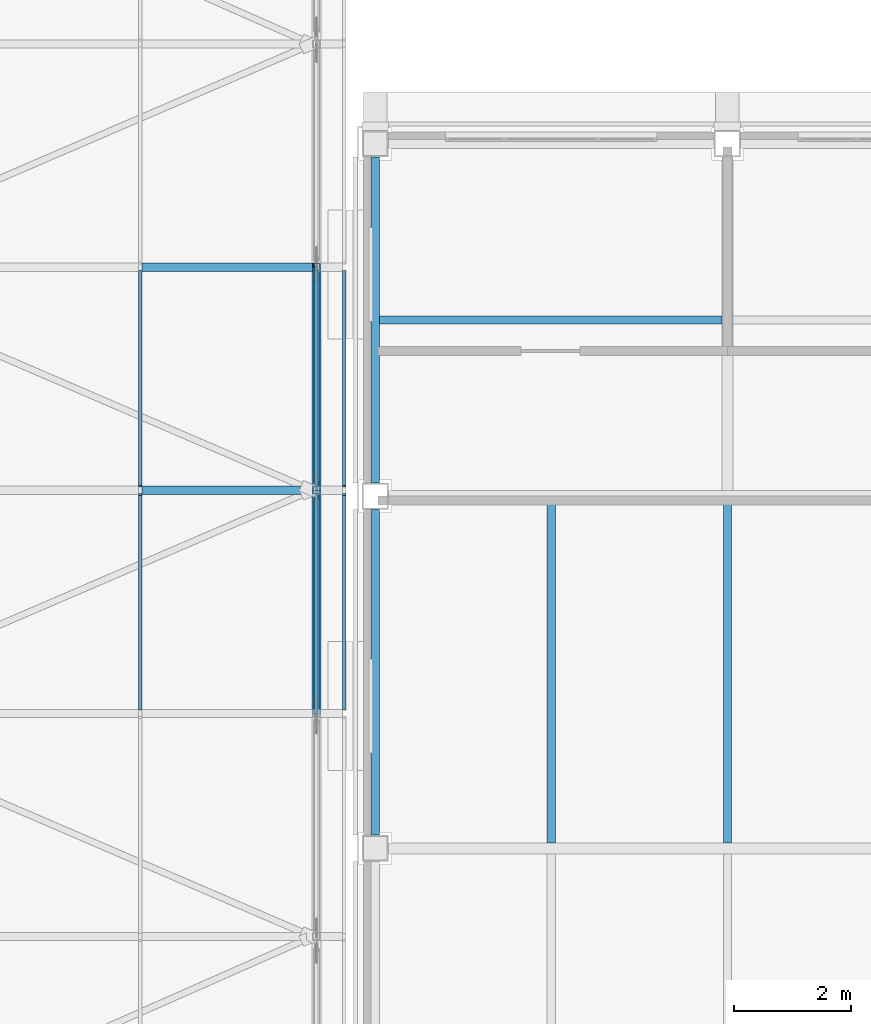
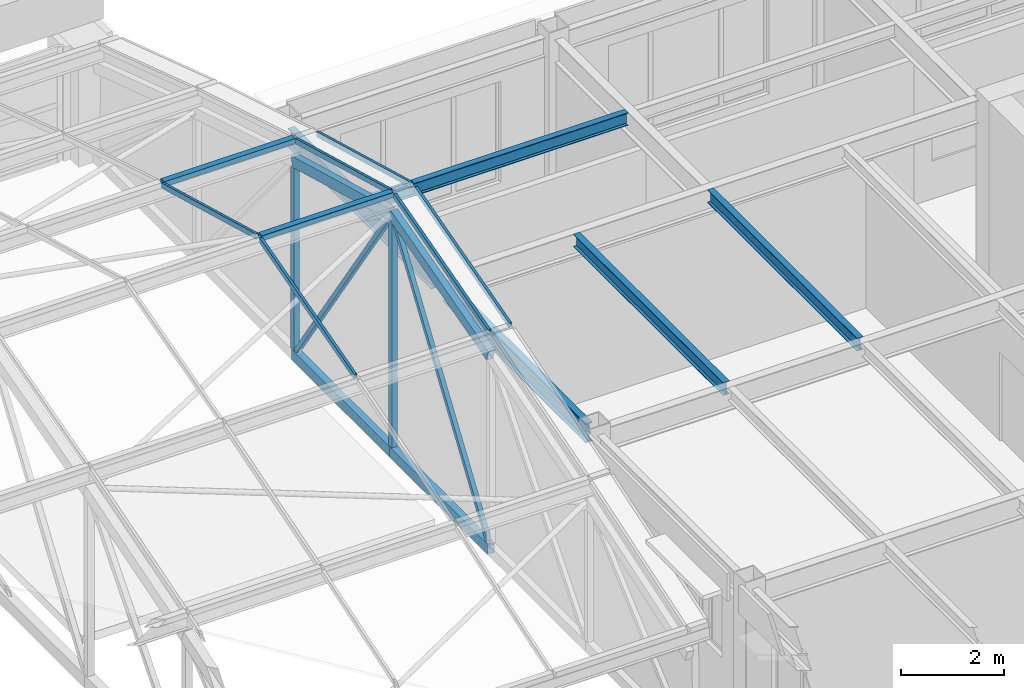
# One storey, part 41 of 82: 16 members, 5 beams, 1 element without a shape of its own.
"""IFC4 building model written with IfcOpenShell, lengths in metres."""

from ifc_helpers import new_model, si_unit, direction, frame, origin, origin_2d, place, context, subcontext, project, spatial, rectangle, hollow_rectangle, i_section, extrude, material, material_profile, profile_set, type_object, element, aggregate, save


model = new_model("IFC4")

# Units and contexts
model_context = context("Model", 3, precision=1e-05, world=origin(), true_north=direction((0.0, 1.0)))
body_context = subcontext(model_context, "Body", "Model", "MODEL_VIEW")
ifc_project = project(units=[si_unit("LENGTHUNIT", "METRE"), si_unit("AREAUNIT", "SQUARE_METRE"), si_unit("VOLUMEUNIT", "CUBIC_METRE"), si_unit("PLANEANGLEUNIT", "RADIAN"), si_unit("MASSUNIT", "GRAM", prefix="KILO")], contexts=[model_context])

# Site, building, storey
site_placement = place(None, origin())
site = spatial("IfcSite", under=ifc_project, at=site_placement, CompositionType="ELEMENT")
building_placement = place(site_placement, origin())
building = spatial("IfcBuilding", under=site, at=building_placement, Name="Aravalli Gate Trade Fair Centre", CompositionType="ELEMENT")
storey_placement = place(building_placement, frame((0.0, 0.0, 19.199951171875)))
storey = spatial("IfcBuildingStorey", under=building, at=storey_placement, Name="L04", CompositionType="ELEMENT", Elevation=19.199951171875)

# Members
ifc_material_1 = material(Name="Steel E350", Category="steel")
ifc_material_profile_1 = material_profile(ifc_material_1, hollow_rectangle(XDim=0.14990234375, YDim=0.25, WallThickness=0.010009765625, at=origin_2d()), Name="RHS 250x150x10")
ifc_profile_set_1 = profile_set([ifc_material_profile_1], Name="Steel E350")
member_type_1 = type_object("IfcMemberType", Name="RHS 250x150x10 CT2 truss chord", PredefinedType="CHORD", material=ifc_profile_set_1)
member_1_placement = place(storey_placement, frame((159.0, 117.300048828125, 4.700439453125), z_axis=(0.0, 0.963894016224, 0.266286172166), x_axis=(-1.0, 0.0, 0.0)))
element("IfcMember", 1, at=member_1_placement, inside=storey, type_object=member_type_1, Name="Concourse vault truss CT2 line E top chord T3", PredefinedType="CHORD", context=body_context, shape_type="SweptSolid", body=[
    extrude(hollow_rectangle(XDim=0.14990234375, YDim=0.25, WallThickness=0.010009765625, at=origin_2d()), origin(), (0.0, 0.0, 1.0), 3.9423828125),
])
member_2_placement = place(storey_placement, frame((159.0, 117.300048828125, 0.125), z_axis=(0.0, 1.0, 0.0), x_axis=(-1.0, 0.0, 0.0)))
element("IfcMember", 2, at=member_2_placement, inside=storey, type_object=member_type_1, Name="Concourse vault truss CT2 line E bottom chord B3", PredefinedType="CHORD", context=body_context, shape_type="SweptSolid", body=[
    extrude(hollow_rectangle(XDim=0.14990234375, YDim=0.25, WallThickness=0.010009765625, at=origin_2d()), origin(), (0.0, 0.0, 1.0), 3.800048828125),
])
member_3_placement = place(storey_placement, frame((159.0, 121.10009765625, 5.750244140625), z_axis=(0.0, 0.96388962469, -0.266302067988), x_axis=(-1.0, 0.0, 0.0)))
element("IfcMember", 3, at=member_3_placement, inside=storey, type_object=member_type_1, Name="Concourse vault truss CT2 line E top chord T4", PredefinedType="CHORD", context=body_context, shape_type="SweptSolid", body=[
    extrude(hollow_rectangle(XDim=0.14990234375, YDim=0.25, WallThickness=0.010009765625, at=origin_2d()), origin(), (0.0, 0.0, 1.0), 3.942138671875),
])
member_4_placement = place(storey_placement, frame((159.0, 121.10009765625, 0.125), z_axis=(0.0, 1.0, 0.0), x_axis=(-1.0, 0.0, 0.0)))
element("IfcMember", 4, at=member_4_placement, inside=storey, type_object=member_type_1, Name="Concourse vault truss CT2 line E bottom chord B4", PredefinedType="CHORD", context=body_context, shape_type="SweptSolid", body=[
    extrude(hollow_rectangle(XDim=0.14990234375, YDim=0.25, WallThickness=0.010009765625, at=origin_2d()), origin(), (0.0, 0.0, 1.0), 3.7998046875),
])
ifc_material_profile_2 = material_profile(ifc_material_1, hollow_rectangle(XDim=0.10009765625, YDim=0.10009765625, WallThickness=0.006103515625, at=origin_2d()), Name="SHS 100x100x6")
ifc_profile_set_2 = profile_set([ifc_material_profile_2], Name="Steel E350")
member_type_2 = type_object("IfcMemberType", Name="SHS 100x100x6 CT2 truss diagonal", PredefinedType="BRACE", material=ifc_profile_set_2)
member_5_placement = place(storey_placement, frame((159.0, 117.384521484375, 0.25), z_axis=(0.0, 0.559733700846, 0.828672543371), x_axis=(-1.0, 0.0, 0.0)))
element("IfcMember", 5, at=member_5_placement, inside=storey, type_object=member_type_2, Name="Concourse vault truss CT2 line E diagonal D3", PredefinedType="BRACE", context=body_context, shape_type="SweptSolid", body=[
    extrude(hollow_rectangle(XDim=0.10009765625, YDim=0.10009765625, WallThickness=0.006103515625, at=origin_2d()), origin(), (0.0, 0.0, 1.0), 6.4453125),
])
member_6_placement = place(storey_placement, frame((159.0, 121.207763671875, 5.591064453125), z_axis=(0.0, 0.55975971126, -0.828654973828), x_axis=(-1.0, 0.0, 0.0)))
element("IfcMember", 6, at=member_6_placement, inside=storey, type_object=member_type_2, Name="Concourse vault truss CT2 line E diagonal D4", PredefinedType="BRACE", context=body_context, shape_type="SweptSolid", body=[
    extrude(hollow_rectangle(XDim=0.10009765625, YDim=0.10009765625, WallThickness=0.006103515625, at=origin_2d()), origin(), (0.0, 0.0, 1.0), 6.445556640625),
])
ifc_material_profile_3 = material_profile(ifc_material_1, hollow_rectangle(XDim=0.125, YDim=0.125, WallThickness=0.006103515625, at=origin_2d()), Name="SHS 125x125x6")
ifc_profile_set_3 = profile_set([ifc_material_profile_3], Name="Steel E350")
member_type_3 = type_object("IfcMemberType", Name="SHS 125x125x6 CT2 truss post", PredefinedType="POST", material=ifc_profile_set_3)
member_7_placement = place(storey_placement, frame((159.0, 121.10009765625, 0.25), z_axis=(0.0, 0.0, 1.0), x_axis=(1.0, 0.0, 0.0)))
element("IfcMember", 7, at=member_7_placement, inside=storey, type_object=member_type_3, Name="Concourse vault truss CT2 line E post V3", PredefinedType="POST", context=body_context, shape_type="SweptSolid", body=[
    extrude(hollow_rectangle(XDim=0.125, YDim=0.125, WallThickness=0.006103515625, at=origin_2d()), origin(), (0.0, 0.0, 1.0), 5.37060546875),
])
member_8_placement = place(storey_placement, frame((159.0, 124.89990234375, 0.25), z_axis=(0.0, 0.0, 1.0), x_axis=(1.0, 0.0, 0.0)))
element("IfcMember", 8, at=member_8_placement, inside=storey, type_object=member_type_3, Name="Concourse vault truss CT2 line E post V4", PredefinedType="POST", context=body_context, shape_type="SweptSolid", body=[
    extrude(hollow_rectangle(XDim=0.125, YDim=0.125, WallThickness=0.006103515625, at=origin_2d()), origin(), (0.0, 0.0, 1.0), 4.31884765625),
])
ifc_material_2 = material(Name="Aluminium", Category="aluminium")
ifc_material_profile_4 = material_profile(ifc_material_2, rectangle(XDim=0.139892578125, YDim=0.1201171875, at=origin_2d()), Name="Vault fold cap 140 x 120")
ifc_profile_set_4 = profile_set([ifc_material_profile_4], Name="Aluminium")
member_type_4 = type_object("IfcMemberType", Name="Vault fold cap 140 x 120", PredefinedType="USERDEFINED", material=ifc_profile_set_4)
for number, where, z_axis, x_axis, name in (
    (9, (156.030029296875, 121.10009765625, 6.239990234375), (1.0, 0.0, 0.0), (0.0, 1.0, 0.0), "Vault fold cap e19.3"),
    (10, (156.030029296875, 124.89990234375, 5.209228515625), (1.0, 0.0, 0.0), (0.0, 1.0, 0.0), "Vault fold cap e19.4"),
):
    element("IfcMember", number, at=place(storey_placement, frame(where, z_axis=z_axis, x_axis=x_axis)), inside=storey, type_object=member_type_4, Name=name, ObjectType="FOLD CAP", PredefinedType="USERDEFINED", context=body_context, shape_type="SweptSolid", body=[
        extrude(rectangle(XDim=0.139892578125, YDim=0.1201171875, at=origin_2d()), origin(), (0.0, 0.0, 1.0), 2.93994140625),
    ])

# Curtain wall, members
ifc_material_3 = material(Name="Aluminium and glass", Category="aluminium")
curtain_wall_type = type_object("IfcCurtainWallType", Name="Vault curtain wall, sloped glazing", PredefinedType="NOTDEFINED", material=ifc_material_3)
curtain_wall_placement = place(storey_placement, origin())
curtain_wall = element("IfcCurtainWall", 11, at=curtain_wall_placement, inside=storey, type_object=curtain_wall_type, Name="Vault curtain wall e", PredefinedType="NOTDEFINED")
ifc_material_profile_5 = material_profile(ifc_material_2, rectangle(XDim=0.06005859375, YDim=0.1201171875, at=origin_2d()), Name="Vault glazing bar 60 x 120")
ifc_profile_set_5 = profile_set([ifc_material_profile_5], Name="Aluminium")
member_type_5 = type_object("IfcMemberType", Name="Vault glazing bar 60 x 120", PredefinedType="USERDEFINED", material=ifc_profile_set_5)
member_9_placement = place(storey_placement, frame((156.0, 117.3701171875, 5.20703125), z_axis=(0.0, 0.96386804037, 0.266380180859), x_axis=(-1.0, 0.0, 0.0)))
member_9 = element("IfcMember", 12, at=member_9_placement, type_object=member_type_5, Name="Vault glazing bar e19.3", ObjectType="GLAZING BAR", PredefinedType="USERDEFINED", context=body_context, shape_type="SweptSolid", body=[
    extrude(rectangle(XDim=0.06005859375, YDim=0.1201171875, at=origin_2d()), origin(), (0.0, 0.0, 1.0), 3.797119140625),
])
member_10_placement = place(storey_placement, frame((156.0, 121.169921875, 6.218505859375), z_axis=(0.0, 0.963872602318, -0.266363673386), x_axis=(-1.0, 0.0, 0.0)))
member_10 = element("IfcMember", 13, at=member_10_placement, type_object=member_type_5, Name="Vault glazing bar e19.4", ObjectType="GLAZING BAR", PredefinedType="USERDEFINED", context=body_context, shape_type="SweptSolid", body=[
    extrude(rectangle(XDim=0.06005859375, YDim=0.1201171875, at=origin_2d()), origin(), (0.0, 0.0, 1.0), 3.79736328125),
])
member_11_placement = place(storey_placement, frame((159.0, 117.3701171875, 5.20703125), z_axis=(0.0, 0.96386804037, 0.266380180859), x_axis=(-1.0, 0.0, 0.0)))
member_11 = element("IfcMember", 14, at=member_11_placement, type_object=member_type_5, Name="Vault glazing bar e20.3", ObjectType="GLAZING BAR", PredefinedType="USERDEFINED", context=body_context, shape_type="SweptSolid", body=[
    extrude(rectangle(XDim=0.06005859375, YDim=0.1201171875, at=origin_2d()), origin(), (0.0, 0.0, 1.0), 3.797119140625),
])
member_12_placement = place(storey_placement, frame((159.0, 121.169921875, 6.218505859375), z_axis=(0.0, 0.963872602318, -0.266363673386), x_axis=(-1.0, 0.0, 0.0)))
member_12 = element("IfcMember", 15, at=member_12_placement, type_object=member_type_5, Name="Vault glazing bar e20.4", ObjectType="GLAZING BAR", PredefinedType="USERDEFINED", context=body_context, shape_type="SweptSolid", body=[
    extrude(rectangle(XDim=0.06005859375, YDim=0.1201171875, at=origin_2d()), origin(), (0.0, 0.0, 1.0), 3.79736328125),
])
member_13_placement = place(storey_placement, frame((159.469970703125, 117.3701171875, 5.20703125), z_axis=(0.0, 0.96386804037, 0.266380180859), x_axis=(-1.0, 0.0, 0.0)))
member_13 = element("IfcMember", 16, at=member_13_placement, type_object=member_type_5, Name="Vault glazing bar e21.3", ObjectType="GLAZING BAR", PredefinedType="USERDEFINED", context=body_context, shape_type="SweptSolid", body=[
    extrude(rectangle(XDim=0.06005859375, YDim=0.1201171875, at=origin_2d()), origin(), (0.0, 0.0, 1.0), 3.797119140625),
])
member_14_placement = place(storey_placement, frame((159.469970703125, 121.169921875, 6.218505859375), z_axis=(0.0, 0.963872602318, -0.266363673386), x_axis=(-1.0, 0.0, 0.0)))
member_14 = element("IfcMember", 17, at=member_14_placement, type_object=member_type_5, Name="Vault glazing bar e21.4", ObjectType="GLAZING BAR", PredefinedType="USERDEFINED", context=body_context, shape_type="SweptSolid", body=[
    extrude(rectangle(XDim=0.06005859375, YDim=0.1201171875, at=origin_2d()), origin(), (0.0, 0.0, 1.0), 3.79736328125),
])
aggregate(curtain_wall, [member_9, member_10, member_11, member_12, member_13, member_14])

# Beams
ifc_material_profile_6 = material_profile(ifc_material_1, i_section(OverallWidth=0.14990234375, OverallDepth=0.449951171875, WebThickness=0.009521484375, FlangeThickness=0.017333984375, at=origin_2d()), Name="ISMB 450")
ifc_profile_set_6 = profile_set([ifc_material_profile_6], Name="Steel E350")
beam_type_1 = type_object("IfcBeamType", Name="Wing perimeter beam ISMB 450 (capital and roof)", PredefinedType="BEAM", material=ifc_profile_set_6)
for number, where, z_axis, x_axis, name in (
    (18, (160.0, 115.22509765625, 3.775146484375), (0.0, 1.0, 0.0), (-1.0, 0.0, 0.0), "Perimeter beam EW4 ROOF LEVEL 1"),
    (19, (160.0, 121.22509765625, 3.775146484375), (0.0, 1.0, 0.0), (-1.0, 0.0, 0.0), "Perimeter beam EW5 ROOF LEVEL 1"),
):
    element("IfcBeam", number, at=place(storey_placement, frame(where, z_axis=z_axis, x_axis=x_axis)), inside=storey, type_object=beam_type_1, Name=name, PredefinedType="BEAM", context=body_context, shape_type="SweptSolid", body=[
        extrude(i_section(OverallWidth=0.14990234375, OverallDepth=0.449951171875, WebThickness=0.009521484375, FlangeThickness=0.017333984375, at=origin_2d()), origin(), (0.0, 0.0, 1.0), 5.5498046875),
    ])
ifc_material_profile_7 = material_profile(ifc_material_1, i_section(OverallWidth=0.139892578125, OverallDepth=0.300048828125, WebThickness=0.0078125, FlangeThickness=0.01318359375, at=origin_2d()), Name="ISMB 300")
ifc_profile_set_7 = profile_set([ifc_material_profile_7], Name="Steel E350")
beam_type_2 = type_object("IfcBeamType", Name="Wing secondary beam ISMB 300 (capital and roof)", PredefinedType="BEAM", material=ifc_profile_set_7)
beam_placement = place(storey_placement, frame((160.074951171875, 124.0, 3.85009765625), z_axis=(1.0, 0.0, 0.0), x_axis=(0.0, 1.0, 0.0)))
element("IfcBeam", 20, at=beam_placement, inside=storey, type_object=beam_type_2, Name="Secondary beam KWN00 ROOF LEVEL 1", PredefinedType="BEAM", context=body_context, shape_type="SweptSolid", body=[
    extrude(i_section(OverallWidth=0.139892578125, OverallDepth=0.300048828125, WebThickness=0.0078125, FlangeThickness=0.01318359375, at=origin_2d()), origin(), (0.0, 0.0, 1.0), 5.830078125),
])
for number, where, z_axis, x_axis, name in (
    (21, (163.0, 115.094970703125, 3.85009765625), (0.0, 1.0, 0.0), (-1.0, 0.0, 0.0), "Secondary beam BW2163 ROOF LEVEL 1"),
    (22, (166.0, 115.094970703125, 3.85009765625), (0.0, 1.0, 0.0), (-1.0, 0.0, 0.0), "Secondary beam BW2166 ROOF LEVEL 1"),
):
    element("IfcBeam", number, at=place(storey_placement, frame(where, z_axis=z_axis, x_axis=x_axis)), inside=storey, type_object=beam_type_2, Name=name, PredefinedType="BEAM", context=body_context, shape_type="SweptSolid", body=[
        extrude(i_section(OverallWidth=0.139892578125, OverallDepth=0.300048828125, WebThickness=0.0078125, FlangeThickness=0.01318359375, at=origin_2d()), origin(), (0.0, 0.0, 1.0), 5.81005859375),
    ])

save(model, "model.ifc")
